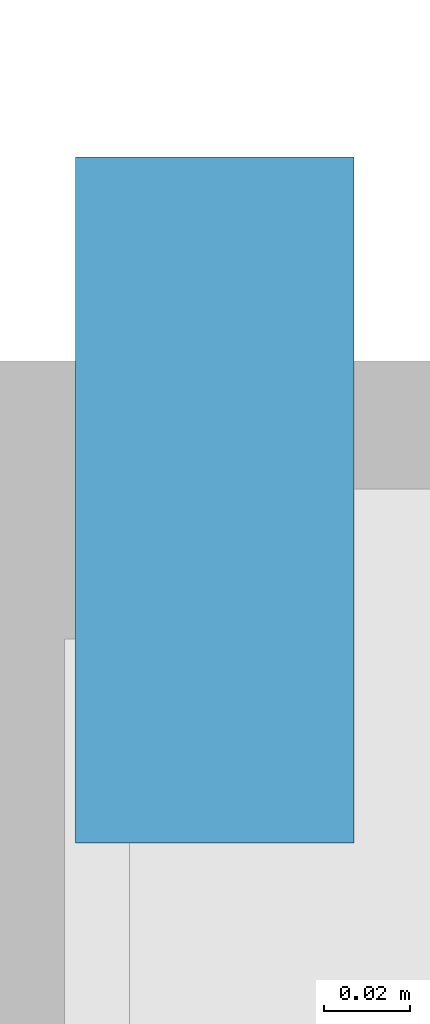
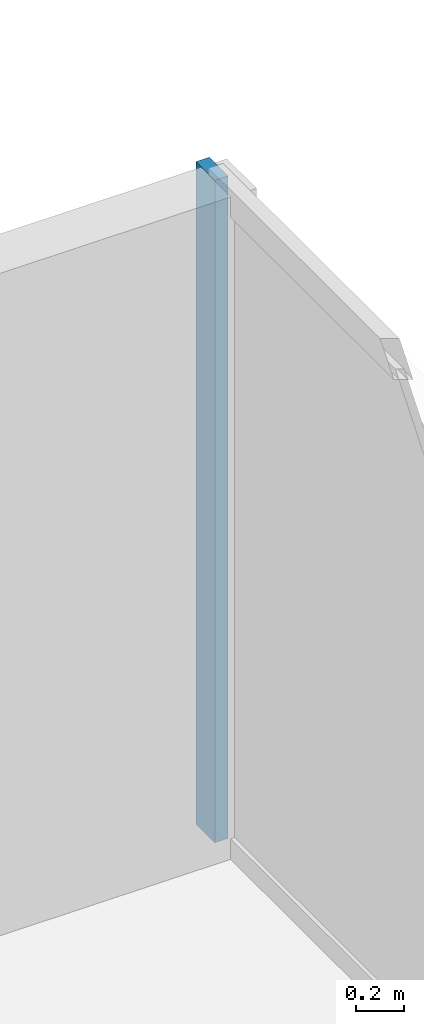
# One storey, part 6 of 14: 1 member, 1 element without a shape of its own.
"""IFC4 building model written with IfcOpenShell, lengths in metres."""

from ifc_helpers import new_model, si_unit, direction, frame, origin, origin_2d, place, context, subcontext, project, spatial, rectangle, extrude, material, layer, layer_set, material_profile, profile_set, type_object, element, aggregate, save


model = new_model("IFC4")

# Units and contexts
model_context = context("Model", 3, precision=1e-05, world=origin(), true_north=direction((0.0, 1.0)))
body_context = subcontext(model_context, "Body", "Model", "MODEL_VIEW")
ifc_project = project(units=[si_unit("LENGTHUNIT", "METRE"), si_unit("AREAUNIT", "SQUARE_METRE"), si_unit("VOLUMEUNIT", "CUBIC_METRE"), si_unit("PLANEANGLEUNIT", "RADIAN"), si_unit("MASSUNIT", "GRAM", prefix="KILO")], contexts=[model_context])

# Site, building, storey
site_placement = place(None, origin())
site = spatial("IfcSite", under=ifc_project, at=site_placement, CompositionType="ELEMENT")
building_placement = place(site_placement, origin())
building = spatial("IfcBuilding", under=site, at=building_placement, Name="Kinhvarn Gate Tower", CompositionType="ELEMENT")
storey_placement = place(building_placement, frame((0.0, 0.0, 249.25)))
storey = spatial("IfcBuildingStorey", under=building, at=storey_placement, Name="L66", CompositionType="ELEMENT", Elevation=249.25)

# Curtain wall, member
ifc_material = material(Name="Anodised aluminium AW-6063", Category="aluminium")
ifc_layer = layer(ifc_material, 0.179931640625)
ifc_layer_set = layer_set([ifc_layer], Name="Anodised aluminium AW-6063")
curtain_wall_type = type_object("IfcCurtainWallType", Name="CW-SYS-3", PredefinedType="NOTDEFINED", material=ifc_layer_set)
curtain_wall_placement = place(storey_placement, origin())
curtain_wall = element("IfcCurtainWall", 1, at=curtain_wall_placement, inside=storey, type_object=curtain_wall_type, Name="Curtain Wall CW3 (L66)", PredefinedType="NOTDEFINED")
ifc_material_profile = material_profile(ifc_material, rectangle(XDim=0.06494140625, YDim=0.159912109375, at=origin_2d()), Name="ALU 65x160")
ifc_profile_set = profile_set([ifc_material_profile], Name="Anodised aluminium AW-6063")
member_type = type_object("IfcMemberType", Name="CW-MUL-160", PredefinedType="MULLION", material=ifc_profile_set)
member_placement = place(storey_placement, frame((44.409912109375, 39.367431640625, 0.0), z_axis=(0.0, 0.0, 1.0), x_axis=(-1.0, 0.0, 0.0)))
member = element("IfcMember", 2, at=member_placement, type_object=member_type, Name="CW3 mullion 7", PredefinedType="MULLION", context=body_context, shape_type="SweptSolid", body=[
    extrude(rectangle(XDim=0.06494140625, YDim=0.159912109375, at=origin_2d()), origin(), (0.0, 0.0, 1.0), 3.389892578125),
])
aggregate(curtain_wall, [member])

save(model, "model.ifc")
